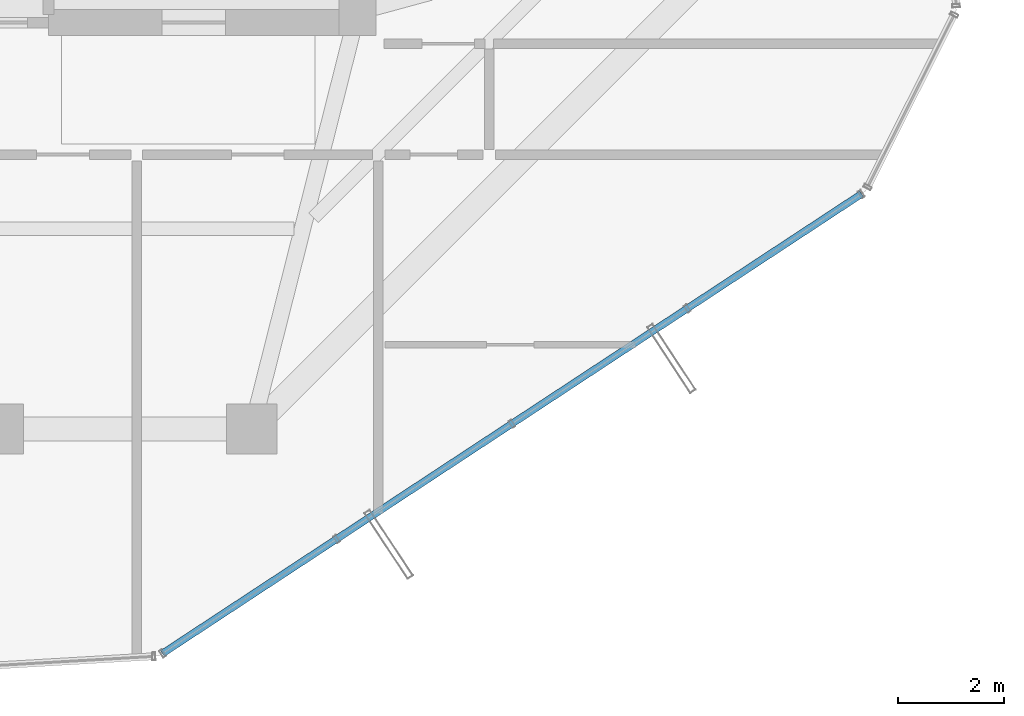
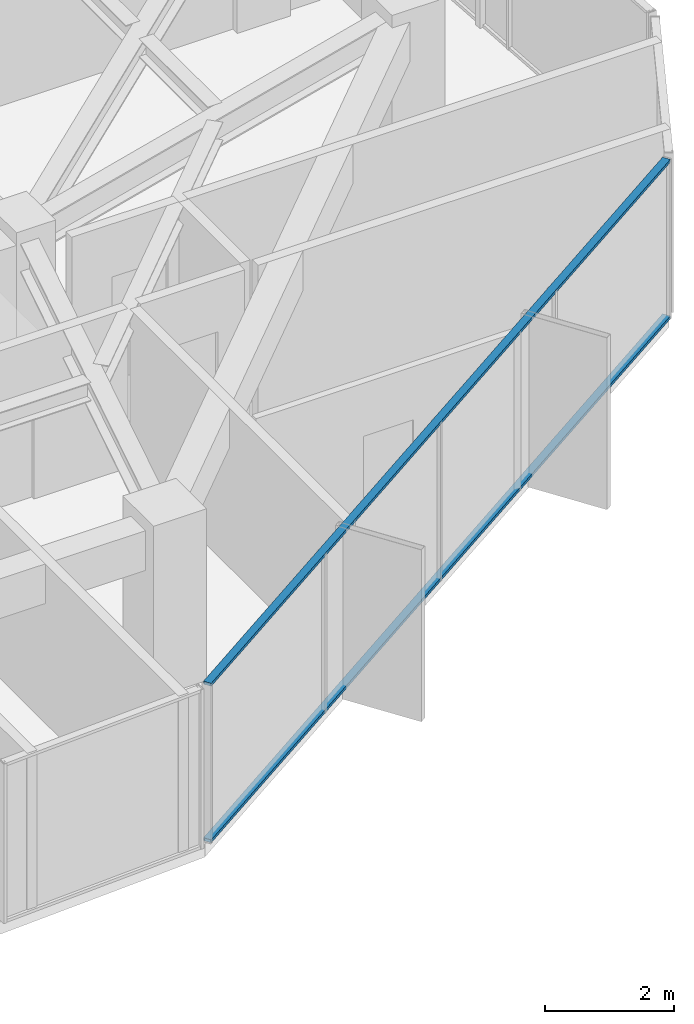
# One storey, part 9 of 33: 2 members, 1 element without a shape of its own.
"""IFC4 building model written with IfcOpenShell, lengths in metres."""

from ifc_helpers import new_model, si_unit, direction, frame, origin, origin_2d, place, context, subcontext, project, spatial, hollow_rectangle, extrude, source, transform, mapped, material, layer, layer_set, material_profile, profile_set, type_object, element, aggregate, save


model = new_model("IFC4")

# Units and contexts
model_context = context("Model", 3, precision=1e-05, world=origin(), true_north=direction((0.0, 1.0)))
body_context = subcontext(model_context, "Body", "Model", "MODEL_VIEW")
ifc_project = project(units=[si_unit("LENGTHUNIT", "METRE"), si_unit("AREAUNIT", "SQUARE_METRE"), si_unit("VOLUMEUNIT", "CUBIC_METRE"), si_unit("PLANEANGLEUNIT", "RADIAN"), si_unit("MASSUNIT", "GRAM", prefix="KILO")], contexts=[model_context])

# Site, building, storey
site_placement = place(None, origin())
site = spatial("IfcSite", under=ifc_project, at=site_placement, CompositionType="ELEMENT")
building_placement = place(site_placement, origin())
building = spatial("IfcBuilding", under=site, at=building_placement, Name="Veraguas Prism Commons", CompositionType="ELEMENT")
storey_placement = place(building_placement, frame((0.0, 0.0, 195.10009765625)))
storey = spatial("IfcBuildingStorey", under=building, at=storey_placement, Name="L55", CompositionType="ELEMENT", Elevation=195.10009765625)

# Curtain wall, members
ifc_material = material(Name="Anodised aluminium EN AW-6063 T6", Category="aluminium")
ifc_layer = layer(ifc_material, 0.14990234375, Name="Unitised Flush Curtain Wall Zone 3", Category="aluminium")
ifc_layer_set = layer_set([ifc_layer], Name="Anodised aluminium EN AW-6063 T6")
curtain_wall_type = type_object("IfcCurtainWallType", Name="Unitised Flush Curtain Wall Zone 3", PredefinedType="NOTDEFINED", material=ifc_layer_set)
curtain_wall_placement = place(storey_placement, origin())
curtain_wall = element("IfcCurtainWall", 1, at=curtain_wall_placement, inside=storey, type_object=curtain_wall_type, Name="Tower Facade Curtain Wall L55-F5", PredefinedType="NOTDEFINED")
ifc_material_profile = material_profile(ifc_material, hollow_rectangle(XDim=0.054931640625, YDim=0.135009765625, WallThickness=0.0029296875, at=origin_2d()), Name="AL55X135X3")
ifc_profile_set = profile_set([ifc_material_profile], Name="Anodised aluminium EN AW-6063 T6")
member_type = type_object("IfcMemberType", Name="Curtain Wall Transom Standard AL 55x135x3", PredefinedType="USERDEFINED", material=ifc_profile_set)
shared_shape = source(origin(), body_context, "Body", "SweptSolid", [
    extrude(hollow_rectangle(XDim=0.054931640625, YDim=0.135009765625, WallThickness=0.0029296875, at=origin_2d()), origin(), (0.0, 0.0, 1.0), 15.842529296875),
])
member_1_placement = place(storey_placement, frame((27.109375, 4.849853515625, 0.02734375), z_axis=(0.835619991277, 0.549307955685, 0.0), x_axis=(0.0, 0.0, 1.0)))
member_1 = element("IfcMember", 2, at=member_1_placement, type_object=member_type, Name="CW-Z3 Transom 1", ObjectType="TRANSOM", PredefinedType="USERDEFINED", context=body_context, shape_type="MappedRepresentation", body=[
    mapped(shared_shape, transform((0.0, 0.0, 0.0), scale=1.0)),
])
member_2_placement = place(storey_placement, frame((27.109375, 4.849853515625, 2.9873046875), z_axis=(0.835619991277, 0.549307955685, 0.0), x_axis=(0.0, 0.0, 1.0)))
member_2 = element("IfcMember", 3, at=member_2_placement, type_object=member_type, Name="CW-Z3 Transom 2", ObjectType="TRANSOM", PredefinedType="USERDEFINED", context=body_context, shape_type="MappedRepresentation", body=[
    mapped(shared_shape, transform((0.0, 0.0, 0.0), scale=1.0)),
])
aggregate(curtain_wall, [member_1, member_2])

save(model, "model.ifc")
